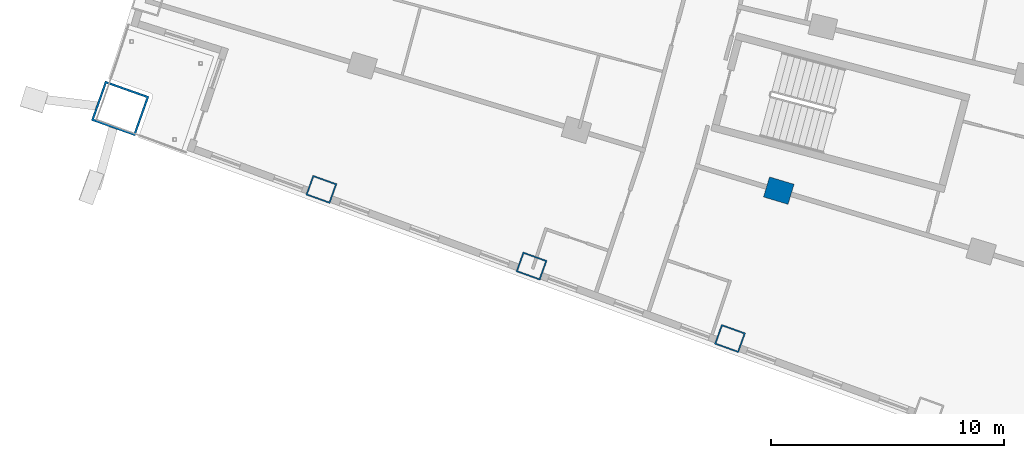
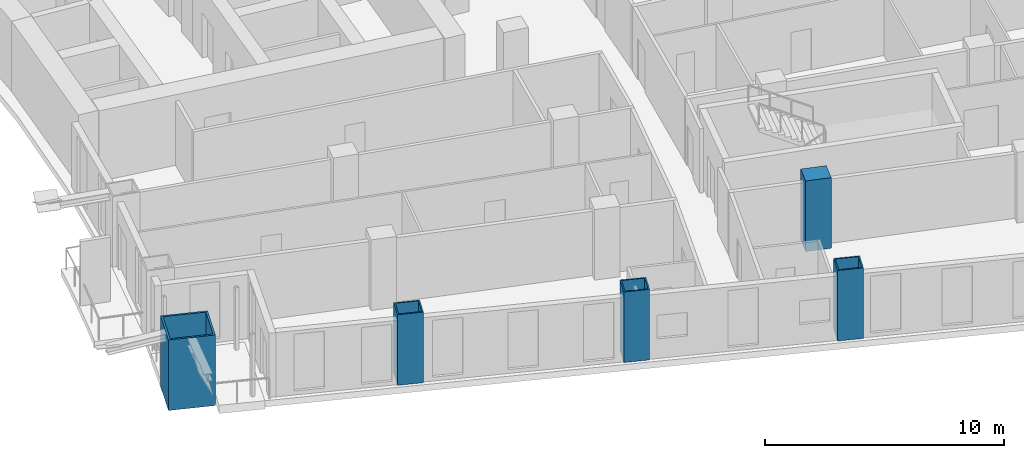
# One storey, part 1 of 22: 5 columns.
"""IFC4 building model written with IfcOpenShell, lengths in metres."""

from ifc_helpers import new_model, si_unit, direction, frame, origin, origin_2d, place, context, subcontext, project, spatial, rectangle, hollow_rectangle, extrude, material, material_profile, profile_set, type_object, element, save


model = new_model("IFC4")

# Units and contexts
model_context = context("Model", 3, precision=1e-05, world=origin(), true_north=direction((0.0, 1.0)))
body_context = subcontext(model_context, "Body", "Model", "MODEL_VIEW")
ifc_project = project(units=[si_unit("LENGTHUNIT", "METRE"), si_unit("AREAUNIT", "SQUARE_METRE"), si_unit("VOLUMEUNIT", "CUBIC_METRE"), si_unit("PLANEANGLEUNIT", "RADIAN"), si_unit("MASSUNIT", "GRAM", prefix="KILO")], contexts=[model_context])

# Site, building, storey
site_placement = place(None, origin())
site = spatial("IfcSite", under=ifc_project, at=site_placement, CompositionType="ELEMENT")
building_placement = place(site_placement, origin())
building = spatial("IfcBuilding", under=site, at=building_placement, Name="Alderwake Tower", CompositionType="ELEMENT")
storey_placement = place(building_placement, frame((0.0, 0.0, 50.0)))
storey = spatial("IfcBuildingStorey", under=building, at=storey_placement, Name="L11", CompositionType="ELEMENT", Elevation=50.0)

# Columns
ifc_material_1 = material(Name="Steel ASTM A572 Grade 50 concrete filled C70/85", Category="concrete")
ifc_material_profile_1 = material_profile(ifc_material_1, hollow_rectangle(XDim=0.89990234375, YDim=1.10009765625, WallThickness=0.06005859375, at=origin_2d()), Name="BOX 1100X900X60")
ifc_profile_set_1 = profile_set([ifc_material_profile_1], Name="Steel ASTM A572 Grade 50 concrete filled C70/85")
column_type_1 = type_object("IfcColumnType", Name="End column Z1", PredefinedType="COLUMN", material=ifc_profile_set_1)
for number, where, z_axis, x_axis, name in (
    (1, (19.965576171875, 25.1484375, 0.0), (0.0, 0.0, 1.0), (0.337584879279, 0.9412950915, 0.0), "Column R01-C1"),
    (2, (28.983642578125, 21.856689453125, 0.0), (0.0, 0.0, 1.0), (0.338026774049, 0.941136493834, 0.0), "Column R01-C2"),
    (3, (37.500732421875, 18.74755859375, 0.0), (0.0, 0.0, 1.0), (0.338379907748, 0.941009584453, 0.0), "Column R01-C3"),
):
    element("IfcColumn", number, at=place(storey_placement, frame(where, z_axis=z_axis, x_axis=x_axis)), inside=storey, type_object=column_type_1, Name=name, PredefinedType="COLUMN", context=body_context, shape_type="SweptSolid", body=[
        extrude(hollow_rectangle(XDim=0.89990234375, YDim=1.10009765625, WallThickness=0.06005859375, at=origin_2d()), origin(), (0.0, 0.0, 1.0), 3.60009765625),
    ])
ifc_material_2 = material(Name="Concrete C70/85", Category="concrete")
ifc_material_profile_2 = material_profile(ifc_material_2, rectangle(XDim=0.89990234375, YDim=1.10009765625, at=origin_2d()), Name="RC 1100X900")
ifc_profile_set_2 = profile_set([ifc_material_profile_2], Name="Concrete C70/85")
column_type_2 = type_object("IfcColumnType", Name="Interior column Z1", PredefinedType="COLUMN", material=ifc_profile_set_2)
column_1_placement = place(storey_placement, frame((39.593017578125, 25.0947265625, 0.0), z_axis=(0.0, 0.0, 1.0), x_axis=(0.287549418125, 0.957765802342, 0.0)))
element("IfcColumn", 4, at=column_1_placement, inside=storey, type_object=column_type_2, Name="Column R02-C3", PredefinedType="COLUMN", context=body_context, shape_type="SweptSolid", body=[
    extrude(rectangle(XDim=0.89990234375, YDim=1.10009765625, at=origin_2d()), origin(), (0.0, 0.0, 1.0), 3.60009765625),
])
ifc_material_3 = material(Name="Steel ASTM A572 Grade 50 concrete filled C70/85", Category="concrete")
ifc_material_profile_3 = material_profile(ifc_material_3, hollow_rectangle(XDim=1.800048828125, YDim=2.0, WallThickness=0.090087890625, at=origin_2d()), Name="BOX 2000X1800X90")
ifc_profile_set_3 = profile_set([ifc_material_profile_3], Name="Steel ASTM A572 Grade 50 concrete filled C70/85")
column_type_3 = type_object("IfcColumnType", Name="Mega column Z1", PredefinedType="COLUMN", material=ifc_profile_set_3)
column_2_placement = place(storey_placement, frame((11.330810546875, 28.622802734375, 0.0), z_axis=(0.0, 0.0, 1.0), x_axis=(0.334130947791, 0.942526662609, 0.0)))
element("IfcColumn", 5, at=column_2_placement, inside=storey, type_object=column_type_3, Name="Column R01-C0", PredefinedType="COLUMN", context=body_context, shape_type="SweptSolid", body=[
    extrude(hollow_rectangle(XDim=1.800048828125, YDim=2.0, WallThickness=0.090087890625, at=origin_2d()), origin(), (0.0, 0.0, 1.0), 3.60009765625),
])

save(model, "model.ifc")
